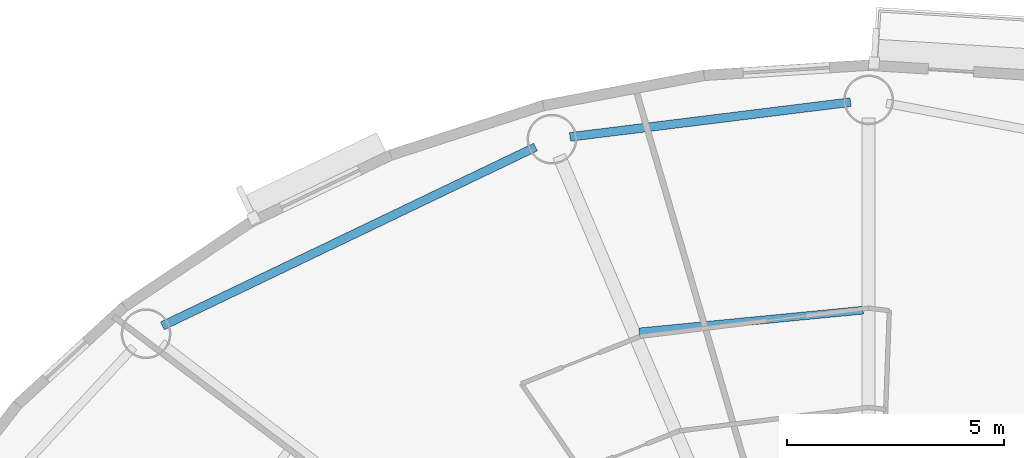
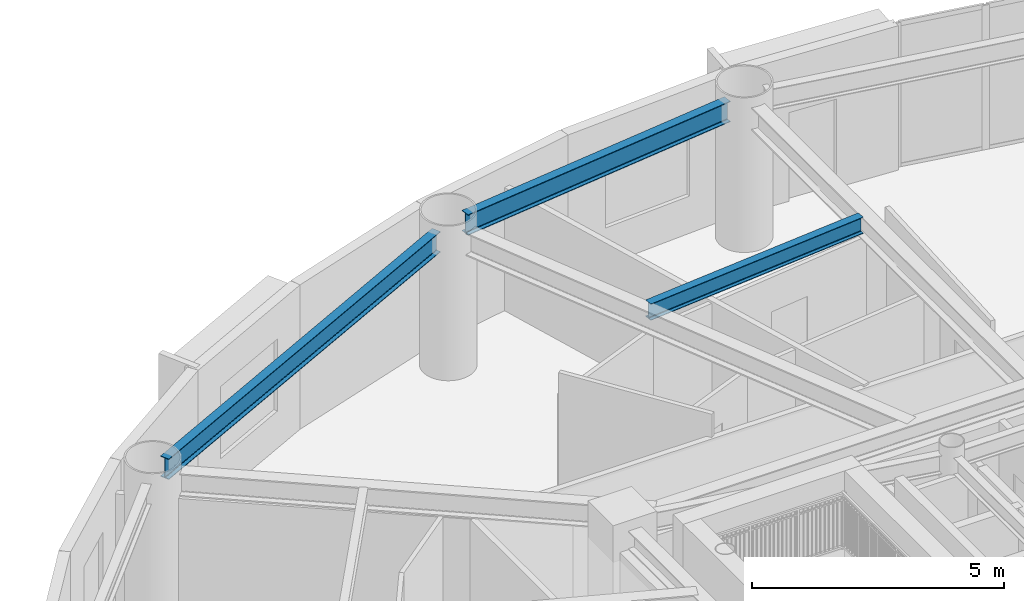
# One storey, part 4 of 20: 3 beams.
"""IFC4 building model written with IfcOpenShell, lengths in metres."""

from ifc_helpers import new_model, si_unit, direction, frame, origin, origin_2d, place, context, subcontext, project, spatial, i_section, extrude, material, material_profile, profile_set, type_object, element, save


model = new_model("IFC4")

# Units and contexts
model_context = context("Model", 3, precision=1e-05, world=origin(), true_north=direction((0.0, 1.0)))
body_context = subcontext(model_context, "Body", "Model", "MODEL_VIEW")
ifc_project = project(units=[si_unit("LENGTHUNIT", "METRE"), si_unit("AREAUNIT", "SQUARE_METRE"), si_unit("VOLUMEUNIT", "CUBIC_METRE"), si_unit("PLANEANGLEUNIT", "RADIAN"), si_unit("MASSUNIT", "GRAM", prefix="KILO")], contexts=[model_context])

# Site, building, storey
site_placement = place(None, origin())
site = spatial("IfcSite", under=ifc_project, at=site_placement, CompositionType="ELEMENT")
building_placement = place(site_placement, origin())
building = spatial("IfcBuilding", under=site, at=building_placement, Name="Linh Dai School and Residence Tower", CompositionType="ELEMENT")
storey_placement = place(building_placement, frame((0.0, 0.0, 221.550048828125)))
storey = spatial("IfcBuildingStorey", under=building, at=storey_placement, Name="L54", CompositionType="ELEMENT", Elevation=221.550048828125)

# Beams
ifc_material = material(Name="Structural Steel S355JR", Category="steel")
ifc_material_profile_1 = material_profile(ifc_material, i_section(OverallWidth=0.199951171875, OverallDepth=0.5, WebThickness=0.01025390625, FlangeThickness=0.01611328125, FilletRadius=0.02099609375, at=origin_2d()), Name="IPE 500")
ifc_profile_set_1 = profile_set([ifc_material_profile_1], Name="Structural Steel S355JR")
beam_type_1 = type_object("IfcBeamType", Name="BM-RB50", PredefinedType="BEAM", material=ifc_profile_set_1)
beam_1_placement = place(storey_placement, frame((35.583251953125, 45.12841796875, 3.25), z_axis=(-0.992401656104, -0.123040452539, 0.0), x_axis=(0.123040452539, -0.992401656104, 0.0)))
element("IfcBeam", 1, at=beam_1_placement, inside=storey, type_object=beam_type_1, Name="L54 Perimeter Elliptical Ring Beam 05", PredefinedType="BEAM", context=body_context, shape_type="SweptSolid", body=[
    extrude(i_section(OverallWidth=0.199951171875, OverallDepth=0.5, WebThickness=0.01025390625, FlangeThickness=0.01611328125, FilletRadius=0.02099609375, at=origin_2d()), origin(), (0.0, 0.0, 1.0), 6.528076171875),
])
beam_2_placement = place(storey_placement, frame((28.309326171875, 44.092041015625, 3.25), z_axis=(-0.901735920201, -0.432287323686, 0.0), x_axis=(0.432287323686, -0.901735920201, 0.0)))
element("IfcBeam", 2, at=beam_2_placement, inside=storey, type_object=beam_type_1, Name="L54 Perimeter Elliptical Ring Beam 06", PredefinedType="BEAM", context=body_context, shape_type="SweptSolid", body=[
    extrude(i_section(OverallWidth=0.199951171875, OverallDepth=0.5, WebThickness=0.01025390625, FlangeThickness=0.01611328125, FilletRadius=0.02099609375, at=origin_2d()), origin(), (0.0, 0.0, 1.0), 9.552490234375),
])
ifc_material_profile_2 = material_profile(ifc_material, i_section(OverallWidth=0.179931640625, OverallDepth=0.39990234375, WebThickness=0.008544921875, FlangeThickness=0.013427734375, FilletRadius=0.02099609375, at=origin_2d()), Name="IPE 400")
ifc_profile_set_2 = profile_set([ifc_material_profile_2], Name="Structural Steel S355JR")
beam_type_2 = type_object("IfcBeamType", Name="BM-SB40", PredefinedType="BEAM", material=ifc_profile_set_2)
beam_3_placement = place(storey_placement, frame((35.87060546875, 40.324951171875, 3.300048828125), z_axis=(-0.995332680487, -0.096503135467, 0.0), x_axis=(0.096503135467, -0.995332680487, 0.0)))
element("IfcBeam", 3, at=beam_3_placement, inside=storey, type_object=beam_type_2, Name="L54 Secondary Circumferential Floor Beam 03", PredefinedType="BEAM", context=body_context, shape_type="SweptSolid", body=[
    extrude(i_section(OverallWidth=0.179931640625, OverallDepth=0.39990234375, WebThickness=0.008544921875, FlangeThickness=0.013427734375, FilletRadius=0.02099609375, at=origin_2d()), origin(), (0.0, 0.0, 1.0), 5.188720703125),
])

save(model, "model.ifc")
